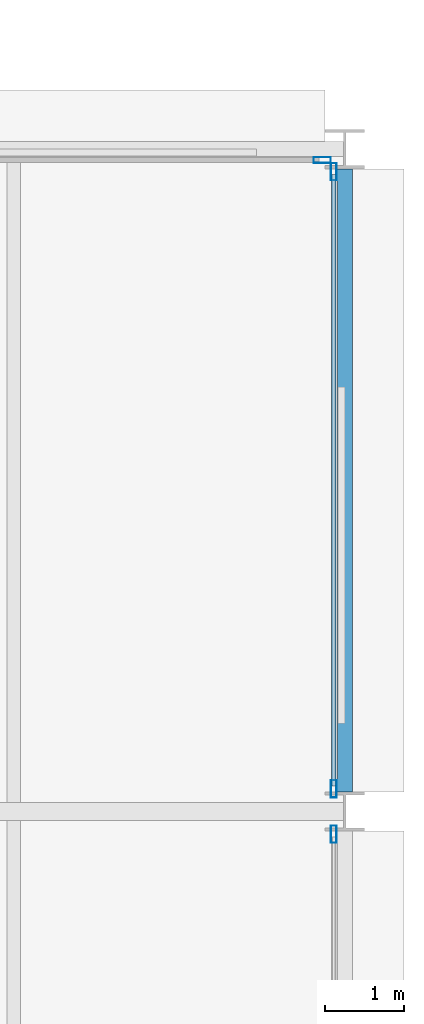
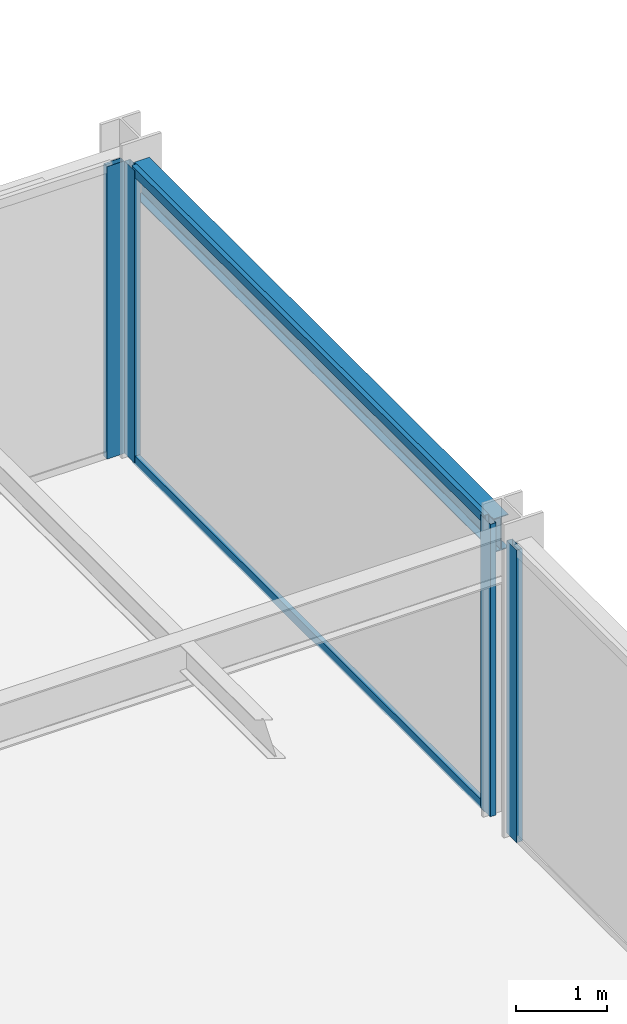
# One storey, part 13 of 25: 6 members, 1 beam, 3 elements without a shape of their own.
"""IFC4 building model written with IfcOpenShell, lengths in metres."""

from ifc_helpers import new_model, si_unit, direction, frame, origin, origin_2d, place, context, subcontext, project, spatial, hollow_rectangle, i_section, extrude, material, layer, layer_set, material_profile, profile_set, type_object, element, aggregate, save


model = new_model("IFC4")

# Units and contexts
model_context = context("Model", 3, precision=1e-05, world=origin(), true_north=direction((0.0, 1.0)))
body_context = subcontext(model_context, "Body", "Model", "MODEL_VIEW")
ifc_project = project(units=[si_unit("LENGTHUNIT", "METRE"), si_unit("AREAUNIT", "SQUARE_METRE"), si_unit("VOLUMEUNIT", "CUBIC_METRE"), si_unit("PLANEANGLEUNIT", "RADIAN"), si_unit("MASSUNIT", "GRAM", prefix="KILO")], contexts=[model_context])

# Site, building, storey
site_placement = place(None, origin())
site = spatial("IfcSite", under=ifc_project, at=site_placement, CompositionType="ELEMENT")
building_placement = place(site_placement, origin())
building = spatial("IfcBuilding", under=site, at=building_placement, Name="Nerrivon Quay Data Exchange", CompositionType="ELEMENT")
storey_placement = place(building_placement, frame((0.0, 0.0, 41.60009765625)))
storey = spatial("IfcBuildingStorey", under=building, at=storey_placement, Name="L09", CompositionType="ELEMENT", Elevation=41.60009765625)

# Beam
ifc_material_1 = material(Name="Steel Grade 350", Category="steel")
ifc_material_profile_1 = material_profile(ifc_material_1, i_section(OverallWidth=0.18994140625, OverallDepth=0.4541015625, WebThickness=0.008544921875, FlangeThickness=0.0126953125, FilletRadius=0.011474609375, at=origin_2d()), Name="460UB67.1")
ifc_profile_set_1 = profile_set([ifc_material_profile_1], Name="Steel Grade 350")
beam_type = type_object("IfcBeamType", Name="BM-SP1-460UB67", PredefinedType="SPANDREL", material=ifc_profile_set_1)
beam_placement = place(storey_placement, frame((50.39990234375, 17.050048828125, 3.697998046875), z_axis=(0.0, 1.0, 0.0), x_axis=(-1.0, 0.0, 0.0)))
element("IfcBeam", 1, at=beam_placement, inside=storey, type_object=beam_type, Name="L09 NS Girder X=50.4 (16.8..25.2)", PredefinedType="SPANDREL", context=body_context, shape_type="SweptSolid", body=[
    extrude(i_section(OverallWidth=0.18994140625, OverallDepth=0.4541015625, WebThickness=0.008544921875, FlangeThickness=0.0126953125, FilletRadius=0.011474609375, at=origin_2d()), origin(), (0.0, 0.0, 1.0), 7.89990234375),
])

# Curtain wall, member
ifc_material_2 = material(Name="Anodised aluminium 6063-T6", Category="aluminium")
ifc_layer = layer(ifc_material_2, 0.219970703125)
ifc_layer_set = layer_set([ifc_layer], Name="Anodised aluminium 6063-T6")
curtain_wall_type = type_object("IfcCurtainWallType", Name="CW-SYS-01", PredefinedType="NOTDEFINED", material=ifc_layer_set)
curtain_wall_1_placement = place(storey_placement, origin())
curtain_wall_1 = element("IfcCurtainWall", 2, at=curtain_wall_1_placement, inside=storey, type_object=curtain_wall_type, Name="L09 Unitised Curtain Wall 30", PredefinedType="NOTDEFINED")
ifc_material_profile_2 = material_profile(ifc_material_2, hollow_rectangle(XDim=0.074951171875, YDim=0.219970703125, WallThickness=0.00390625, at=origin_2d()), Name="ALU-MULL-220x75")
ifc_profile_set_2 = profile_set([ifc_material_profile_2], Name="Anodised aluminium 6063-T6")
member_type_1 = type_object("IfcMemberType", Name="CWM-220x75", PredefinedType="MULLION", material=ifc_profile_set_2)
member_1_placement = place(storey_placement, frame((50.112548828125, 25.06005859375, 0.0), z_axis=(0.0, 0.0, 1.0), x_axis=(0.0, 1.0, 0.0)))
member_1 = element("IfcMember", 3, at=member_1_placement, type_object=member_type_1, Name="CW01 mullion 2", PredefinedType="MULLION", context=body_context, shape_type="SweptSolid", body=[
    extrude(hollow_rectangle(XDim=0.074951171875, YDim=0.219970703125, WallThickness=0.00390625, at=origin_2d()), origin(), (0.0, 0.0, 1.0), 3.9248046875),
])
aggregate(curtain_wall_1, [member_1])

# Curtain wall, members
curtain_wall_2_placement = place(storey_placement, origin())
curtain_wall_2 = element("IfcCurtainWall", 4, at=curtain_wall_2_placement, inside=storey, type_object=curtain_wall_type, Name="L09 Unitised Curtain Wall 31", PredefinedType="NOTDEFINED")
member_2_placement = place(storey_placement, frame((50.260009765625, 24.91259765625, 0.0), z_axis=(0.0, 0.0, 1.0), x_axis=(1.0, 0.0, 0.0)))
member_2 = element("IfcMember", 5, at=member_2_placement, type_object=member_type_1, Name="CW01 mullion 1", PredefinedType="MULLION", context=body_context, shape_type="SweptSolid", body=[
    extrude(hollow_rectangle(XDim=0.074951171875, YDim=0.219970703125, WallThickness=0.00390625, at=origin_2d()), origin(), (0.0, 0.0, 1.0), 3.9248046875),
])
member_3_placement = place(storey_placement, frame((50.260009765625, 17.08740234375, 0.0), z_axis=(0.0, 0.0, 1.0), x_axis=(1.0, 0.0, 0.0)))
member_3 = element("IfcMember", 6, at=member_3_placement, type_object=member_type_1, Name="CW01 mullion 2", PredefinedType="MULLION", context=body_context, shape_type="SweptSolid", body=[
    extrude(hollow_rectangle(XDim=0.074951171875, YDim=0.219970703125, WallThickness=0.00390625, at=origin_2d()), origin(), (0.0, 0.0, 1.0), 3.9248046875),
])

# Curtain wall, member
curtain_wall_3_placement = place(storey_placement, origin())
curtain_wall_3 = element("IfcCurtainWall", 7, at=curtain_wall_3_placement, inside=storey, type_object=curtain_wall_type, Name="L09 Unitised Curtain Wall 32", PredefinedType="NOTDEFINED")
member_4_placement = place(storey_placement, frame((50.260009765625, 16.512451171875, 0.0), z_axis=(0.0, 0.0, 1.0), x_axis=(1.0, 0.0, 0.0)))
member_4 = element("IfcMember", 8, at=member_4_placement, type_object=member_type_1, Name="CW01 mullion 1", PredefinedType="MULLION", context=body_context, shape_type="SweptSolid", body=[
    extrude(hollow_rectangle(XDim=0.074951171875, YDim=0.219970703125, WallThickness=0.00390625, at=origin_2d()), origin(), (0.0, 0.0, 1.0), 3.9248046875),
])
aggregate(curtain_wall_3, [member_4])

# Member
ifc_material_profile_3 = material_profile(ifc_material_2, hollow_rectangle(XDim=0.06005859375, YDim=0.1201171875, WallThickness=0.003173828125, at=origin_2d()), Name="ALU-TRAN-120x60")
ifc_profile_set_3 = profile_set([ifc_material_profile_3], Name="Anodised aluminium 6063-T6")
member_type_2 = type_object("IfcMemberType", Name="CWT-120x60", PredefinedType="USERDEFINED", material=ifc_profile_set_3)
member_5_placement = place(storey_placement, frame((50.260009765625, 24.875, 0.032470703125), z_axis=(0.0, -1.0, 0.0), x_axis=(1.0, 0.0, 0.0)))
member_5 = element("IfcMember", 9, at=member_5_placement, type_object=member_type_2, Name="CW01 transom 1.1", ObjectType="TRANSOM", PredefinedType="USERDEFINED", context=body_context, shape_type="SweptSolid", body=[
    extrude(hollow_rectangle(XDim=0.06005859375, YDim=0.1201171875, WallThickness=0.003173828125, at=origin_2d()), origin(), (0.0, 0.0, 1.0), 7.75),
])

member_6_placement = place(storey_placement, frame((50.260009765625, 24.875, 3.892333984375), z_axis=(0.0, -1.0, 0.0), x_axis=(1.0, 0.0, 0.0)))
member_6 = element("IfcMember", 10, at=member_6_placement, type_object=member_type_2, Name="CW01 transom 1.2", ObjectType="TRANSOM", PredefinedType="USERDEFINED", context=body_context, shape_type="SweptSolid", body=[
    extrude(hollow_rectangle(XDim=0.06005859375, YDim=0.1201171875, WallThickness=0.003173828125, at=origin_2d()), origin(), (0.0, 0.0, 1.0), 7.75),
])

aggregate(curtain_wall_2, [member_2, member_3, member_5, member_6])

save(model, "model.ifc")
